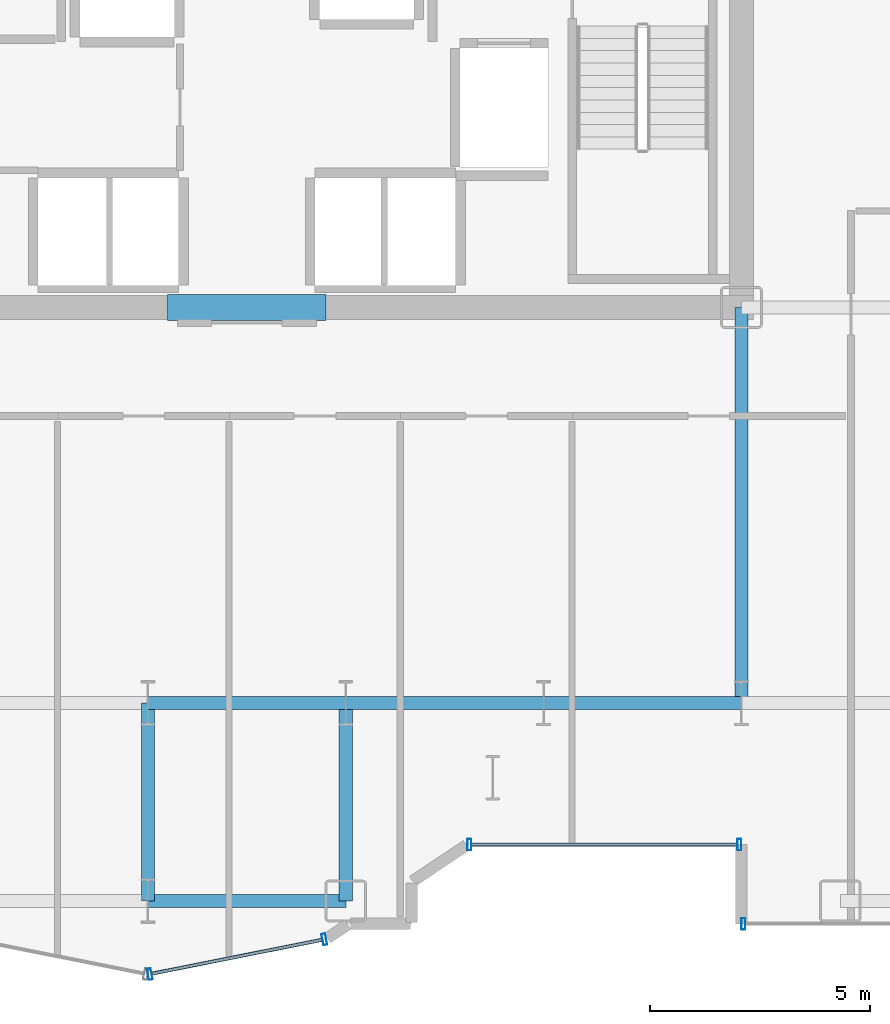
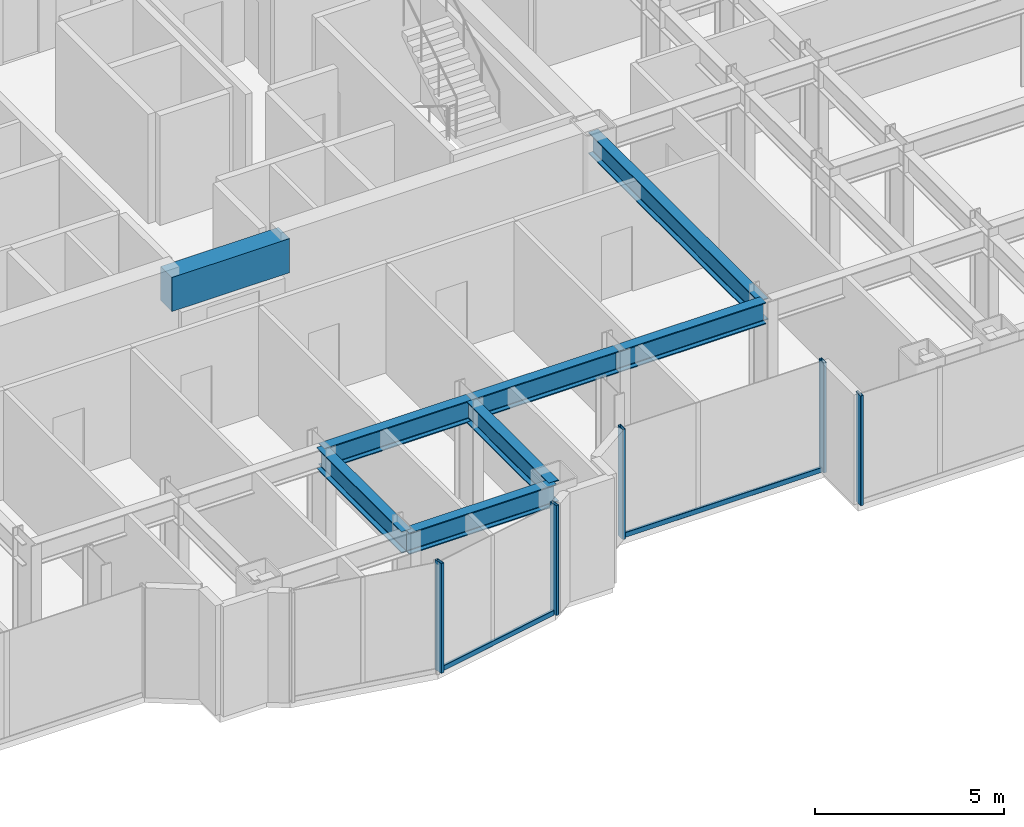
# One storey, part 6 of 25: 8 beams, 7 members, 3 elements without a shape of their own.
"""IFC4 building model written with IfcOpenShell, lengths in metres."""

from ifc_helpers import new_model, si_unit, direction, frame, origin, origin_2d, place, context, subcontext, project, spatial, rectangle, hollow_rectangle, i_section, extrude, source, transform, mapped, material, layer, layer_set, material_profile, profile_set, type_object, element, aggregate, save


model = new_model("IFC4")

# Units and contexts
model_context = context("Model", 3, precision=1e-05, world=origin(), true_north=direction((0.0, 1.0)))
body_context = subcontext(model_context, "Body", "Model", "MODEL_VIEW")
ifc_project = project(units=[si_unit("LENGTHUNIT", "METRE"), si_unit("AREAUNIT", "SQUARE_METRE"), si_unit("VOLUMEUNIT", "CUBIC_METRE"), si_unit("PLANEANGLEUNIT", "RADIAN"), si_unit("MASSUNIT", "GRAM", prefix="KILO")], contexts=[model_context])

# Site, building, storey
site_placement = place(None, origin())
site = spatial("IfcSite", under=ifc_project, at=site_placement, CompositionType="ELEMENT")
building_placement = place(site_placement, origin())
building = spatial("IfcBuilding", under=site, at=building_placement, Name="Nefas-Gora Pilgrimage Tower", CompositionType="ELEMENT")
storey_placement = place(building_placement, frame((0.0, 0.0, 98.39990234375)))
storey = spatial("IfcBuildingStorey", under=building, at=storey_placement, Name="L23", CompositionType="ELEMENT", Elevation=98.39990234375)

# Beams
ifc_material_1 = material(Name="Concrete C60/75", Category="concrete")
ifc_material_profile_1 = material_profile(ifc_material_1, rectangle(XDim=0.60009765625, YDim=1.10009765625, at=origin_2d()), Name="RC 600x1100")
ifc_profile_set_1 = profile_set([ifc_material_profile_1], Name="Concrete C60/75")
beam_type_1 = type_object("IfcBeamType", Name="BM-LIN-RC1100", PredefinedType="LINTEL", material=ifc_profile_set_1)
shared_shape_1 = source(origin(), body_context, "Body", "SweptSolid", [
    extrude(rectangle(XDim=0.60009765625, YDim=1.10009765625, at=origin_2d()), origin(), (0.0, 0.0, 1.0), 3.60009765625),
])
beam_1_placement = place(storey_placement, frame((-1.800048828125, -9.0, 3.0), z_axis=(1.0, 0.0, 0.0), x_axis=(0.0, 1.0, 0.0)))
element("IfcBeam", 1, at=beam_1_placement, inside=storey, type_object=beam_type_1, Name="L23 Core Coupling Lintel Beam S", PredefinedType="LINTEL", context=body_context, shape_type="MappedRepresentation", body=[
    mapped(shared_shape_1, transform((0.0, 0.0, 0.0), x_axis=(1.0, 0.0, 0.0), y_axis=(0.0, 1.0, 0.0), z_axis=(0.0, 0.0, 1.0), scale=1.0)),
])
ifc_material_2 = material(Name="Steel S355", Category="steel")
ifc_material_profile_2 = material_profile(ifc_material_2, i_section(OverallWidth=0.300048828125, OverallDepth=0.699951171875, WebThickness=0.01708984375, FlangeThickness=0.031982421875, FilletRadius=0.027099609375, at=origin_2d()), Name="HEB 700")
ifc_profile_set_2 = profile_set([ifc_material_profile_2], Name="Steel S355")
beam_type_2 = type_object("IfcBeamType", Name="BM-GIR-HEB700", PredefinedType="BEAM", material=ifc_profile_set_2)
shared_shape_2 = source(origin(), body_context, "Body", "SweptSolid", [
    extrude(i_section(OverallWidth=0.300048828125, OverallDepth=0.699951171875, WebThickness=0.01708984375, FlangeThickness=0.031982421875, FilletRadius=0.027099609375, at=origin_2d()), origin(), (0.0, 0.0, 1.0), 9.0),
])
beam_2_placement = place(storey_placement, frame((11.25, -18.0, 3.2001953125), z_axis=(0.0, 1.0, 0.0), x_axis=(-1.0, 0.0, 0.0)))
element("IfcBeam", 2, at=beam_2_placement, inside=storey, type_object=beam_type_2, Name="L23 G-02 beam", PredefinedType="BEAM", context=body_context, shape_type="MappedRepresentation", body=[
    mapped(shared_shape_2, transform((0.0, 0.0, 0.0), x_axis=(1.0, 0.0, 0.0), y_axis=(0.0, 1.0, 0.0), z_axis=(0.0, 0.0, 1.0), scale=1.0)),
])
shared_shape_3 = source(origin(), body_context, "Body", "SweptSolid", [
    extrude(i_section(OverallWidth=0.300048828125, OverallDepth=0.699951171875, WebThickness=0.01708984375, FlangeThickness=0.031982421875, FilletRadius=0.027099609375, at=origin_2d()), origin(), (0.0, 0.0, 1.0), 4.5),
])
for number, where, z_axis, x_axis, name in (
    (3, (-2.25, -22.5, 3.2001953125), (0.0, 1.0, 0.0), (-1.0, 0.0, 0.0), "L23 G-02 beam"),
    (4, (-2.25, -22.5, 3.2001953125), (1.0, 0.0, 0.0), (0.0, 1.0, 0.0), "L23 G-02 beam"),
    (5, (-2.25, -18.0, 3.2001953125), (1.0, 0.0, 0.0), (0.0, 1.0, 0.0), "L23 G-02 beam"),
    (6, (2.25, -22.5, 3.2001953125), (0.0, 1.0, 0.0), (-1.0, 0.0, 0.0), "L23 G-02 beam"),
    (7, (2.25, -18.0, 3.2001953125), (1.0, 0.0, 0.0), (0.0, 1.0, 0.0), "L23 G-02 beam"),
    (8, (6.75, -18.0, 3.2001953125), (1.0, 0.0, 0.0), (0.0, 1.0, 0.0), "L23 G-02 beam"),
):
    element("IfcBeam", number, at=place(storey_placement, frame(where, z_axis=z_axis, x_axis=x_axis)), inside=storey, type_object=beam_type_2, Name=name, PredefinedType="BEAM", context=body_context, shape_type="MappedRepresentation", body=[
        mapped(shared_shape_3, transform((0.0, 0.0, 0.0), x_axis=(1.0, 0.0, 0.0), y_axis=(0.0, 1.0, 0.0), z_axis=(0.0, 0.0, 1.0), scale=1.0)),
    ])

# Curtain wall, members
ifc_material_3 = material(Name="Dark ceramic-fritted solar-control aluminium-glass curtain wall", Category="aluminium")
ifc_layer_1 = layer(ifc_material_3, 0.219970703125)
ifc_layer_set_1 = layer_set([ifc_layer_1], Name="Dark ceramic-fritted solar-control aluminium-glass curtain wall")
curtain_wall_type_1 = type_object("IfcCurtainWallType", Name="CW-SYS-5", PredefinedType="NOTDEFINED", material=ifc_layer_set_1)
curtain_wall_1_placement = place(storey_placement, origin())
curtain_wall_1 = element("IfcCurtainWall", 9, at=curtain_wall_1_placement, inside=storey, type_object=curtain_wall_type_1, Name="L23 Unitised Curtain Wall CW5", PredefinedType="NOTDEFINED")
ifc_material_4 = material(Name="Anodised architectural aluminium", Category="aluminium")
ifc_material_profile_3 = material_profile(ifc_material_4, hollow_rectangle(XDim=0.090087890625, YDim=0.260009765625, WallThickness=0.006103515625, InnerFilletRadius=0.006103515625, OuterFilletRadius=0.011962890625, at=origin_2d()), Name="ALU MULLION 90x260")
ifc_profile_set_3 = profile_set([ifc_material_profile_3], Name="Anodised architectural aluminium")
member_type_1 = type_object("IfcMemberType", Name="CWM-MUL-5", PredefinedType="MULLION", material=ifc_profile_set_3)
shared_shape_4 = source(origin(), body_context, "Body", "SweptSolid", [
    extrude(hollow_rectangle(XDim=0.090087890625, YDim=0.260009765625, WallThickness=0.006103515625, InnerFilletRadius=0.006103515625, OuterFilletRadius=0.011962890625, at=origin_2d()), origin(), (0.0, 0.0, 1.0), 3.550048828125),
])
member_1_placement = place(storey_placement, frame((5.06298828125, -21.219970703125, 0.0), z_axis=(0.0, 0.0, 1.0), x_axis=(1.0, 0.0, 0.0)))
member_1 = element("IfcMember", 10, at=member_1_placement, type_object=member_type_1, Name="CW5 Mullion 1", PredefinedType="MULLION", context=body_context, shape_type="MappedRepresentation", body=[
    mapped(shared_shape_4, transform((0.0, 0.0, 0.0), x_axis=(1.0, 0.0, 0.0), y_axis=(0.0, 1.0, 0.0), z_axis=(0.0, 0.0, 1.0), scale=1.0)),
])
member_2_placement = place(storey_placement, frame((11.205078125, -21.219970703125, 0.0), z_axis=(0.0, 0.0, 1.0), x_axis=(1.0, 0.0, 0.0)))
member_2 = element("IfcMember", 11, at=member_2_placement, type_object=member_type_1, Name="CW5 Mullion 2", PredefinedType="MULLION", context=body_context, shape_type="MappedRepresentation", body=[
    mapped(shared_shape_4, transform((0.0, 0.0, 0.0), x_axis=(1.0, 0.0, 0.0), y_axis=(0.0, 1.0, 0.0), z_axis=(0.0, 0.0, 1.0), scale=1.0)),
])

curtain_wall_2_placement = place(storey_placement, origin())
curtain_wall_2 = element("IfcCurtainWall", 12, at=curtain_wall_2_placement, inside=storey, type_object=curtain_wall_type_1, Name="L23 Unitised Curtain Wall CW5", PredefinedType="NOTDEFINED")
member_3_placement = place(storey_placement, frame((-2.205810546875, -24.16357421875, 0.0), z_axis=(0.0, 0.0, 1.0), x_axis=(0.980782896852, 0.195102304554, 0.0)))
member_3 = element("IfcMember", 13, at=member_3_placement, type_object=member_type_1, Name="CW5 Mullion 1", PredefinedType="MULLION", context=body_context, shape_type="MappedRepresentation", body=[
    mapped(shared_shape_4, transform((0.0, 0.0, 0.0), x_axis=(1.0, 0.0, 0.0), y_axis=(0.0, 1.0, 0.0), z_axis=(0.0, 0.0, 1.0), scale=1.0)),
])
member_4_placement = place(storey_placement, frame((1.76318359375, -23.3740234375, 0.0), z_axis=(0.0, 0.0, 1.0), x_axis=(0.980782896852, 0.195102304554, 0.0)))
member_4 = element("IfcMember", 14, at=member_4_placement, type_object=member_type_1, Name="CW5 Mullion 2", PredefinedType="MULLION", context=body_context, shape_type="MappedRepresentation", body=[
    mapped(shared_shape_4, transform((0.0, 0.0, 0.0), x_axis=(1.0, 0.0, 0.0), y_axis=(0.0, 1.0, 0.0), z_axis=(0.0, 0.0, 1.0), scale=1.0)),
])

# Member
ifc_material_profile_4 = material_profile(ifc_material_4, hollow_rectangle(XDim=0.080078125, YDim=0.159912109375, WallThickness=0.00439453125, InnerFilletRadius=0.00439453125, OuterFilletRadius=0.009033203125, at=origin_2d()), Name="ALU TRANSOM 80x160")
ifc_profile_set_4 = profile_set([ifc_material_profile_4], Name="Anodised architectural aluminium")
member_type_2 = type_object("IfcMemberType", Name="CWM-TRN-5", PredefinedType="USERDEFINED", material=ifc_profile_set_4)
shared_shape_5 = source(origin(), body_context, "Body", "SweptSolid", [
    extrude(hollow_rectangle(XDim=0.080078125, YDim=0.159912109375, WallThickness=0.00439453125, InnerFilletRadius=0.00439453125, OuterFilletRadius=0.009033203125, at=origin_2d()), origin(), (0.0, 0.0, 1.0), 6.052001953125),
])
member_5_placement = place(storey_placement, frame((5.10791015625, -21.219970703125, 0.050048828125), z_axis=(1.0, 0.0, 0.0), x_axis=(0.0, 1.0, 0.0)))
member_5 = element("IfcMember", 15, at=member_5_placement, type_object=member_type_2, Name="CW5 Spandrel Transom", ObjectType="TRANSOM", PredefinedType="USERDEFINED", context=body_context, shape_type="MappedRepresentation", body=[
    mapped(shared_shape_5, transform((0.0, 0.0, 0.0), x_axis=(1.0, 0.0, 0.0), y_axis=(0.0, 1.0, 0.0), z_axis=(0.0, 0.0, 1.0), scale=1.0)),
])

aggregate(curtain_wall_1, [member_1, member_2, member_5])

# Curtain wall, member
ifc_layer_2 = layer(ifc_material_3, 0.219970703125)
ifc_layer_set_2 = layer_set([ifc_layer_2], Name="Dark ceramic-fritted solar-control aluminium-glass curtain wall")
curtain_wall_type_2 = type_object("IfcCurtainWallType", Name="CW-SYS-2", PredefinedType="NOTDEFINED", material=ifc_layer_set_2)
curtain_wall_3_placement = place(storey_placement, origin())
curtain_wall_3 = element("IfcCurtainWall", 16, at=curtain_wall_3_placement, inside=storey, type_object=curtain_wall_type_2, Name="L23 Unitised Curtain Wall CW2", PredefinedType="NOTDEFINED")
ifc_material_profile_5 = material_profile(ifc_material_4, hollow_rectangle(XDim=0.090087890625, YDim=0.260009765625, WallThickness=0.006103515625, InnerFilletRadius=0.006103515625, OuterFilletRadius=0.011962890625, at=origin_2d()), Name="ALU MULLION 90x260")
ifc_profile_set_5 = profile_set([ifc_material_profile_5], Name="Anodised architectural aluminium")
member_type_3 = type_object("IfcMemberType", Name="CWM-MUL-2", PredefinedType="MULLION", material=ifc_profile_set_5)
shared_shape_6 = source(origin(), body_context, "Body", "SweptSolid", [
    extrude(hollow_rectangle(XDim=0.090087890625, YDim=0.260009765625, WallThickness=0.006103515625, InnerFilletRadius=0.006103515625, OuterFilletRadius=0.011962890625, at=origin_2d()), origin(), (0.0, 0.0, 1.0), 3.550048828125),
])
member_6_placement = place(storey_placement, frame((11.294921875, -23.02001953125, 0.0), z_axis=(0.0, 0.0, 1.0), x_axis=(1.0, 0.0, 0.0)))
member_6 = element("IfcMember", 17, at=member_6_placement, type_object=member_type_3, Name="CW2 Mullion 1", PredefinedType="MULLION", context=body_context, shape_type="MappedRepresentation", body=[
    mapped(shared_shape_6, transform((0.0, 0.0, 0.0), x_axis=(1.0, 0.0, 0.0), y_axis=(0.0, 1.0, 0.0), z_axis=(0.0, 0.0, 1.0), scale=1.0)),
])
aggregate(curtain_wall_3, [member_6])

# Member
shared_shape_7 = source(origin(), body_context, "Body", "SweptSolid", [
    extrude(hollow_rectangle(XDim=0.080078125, YDim=0.159912109375, WallThickness=0.00439453125, InnerFilletRadius=0.00439453125, OuterFilletRadius=0.009033203125, at=origin_2d()), origin(), (0.0, 0.0, 1.0), 3.95654296875),
])
member_7_placement = place(storey_placement, frame((-2.16162109375, -24.15478515625, 0.050048828125), z_axis=(0.980781880918, 0.195107411605, 0.0), x_axis=(-0.195107411605, 0.980781880918, 0.0)))
member_7 = element("IfcMember", 18, at=member_7_placement, type_object=member_type_2, Name="CW5 Spandrel Transom", ObjectType="TRANSOM", PredefinedType="USERDEFINED", context=body_context, shape_type="MappedRepresentation", body=[
    mapped(shared_shape_7, transform((0.0, 0.0, 0.0), x_axis=(1.0, 0.0, 0.0), y_axis=(0.0, 1.0, 0.0), z_axis=(0.0, 0.0, 1.0), scale=1.0)),
])

aggregate(curtain_wall_2, [member_3, member_4, member_7])

save(model, "model.ifc")
